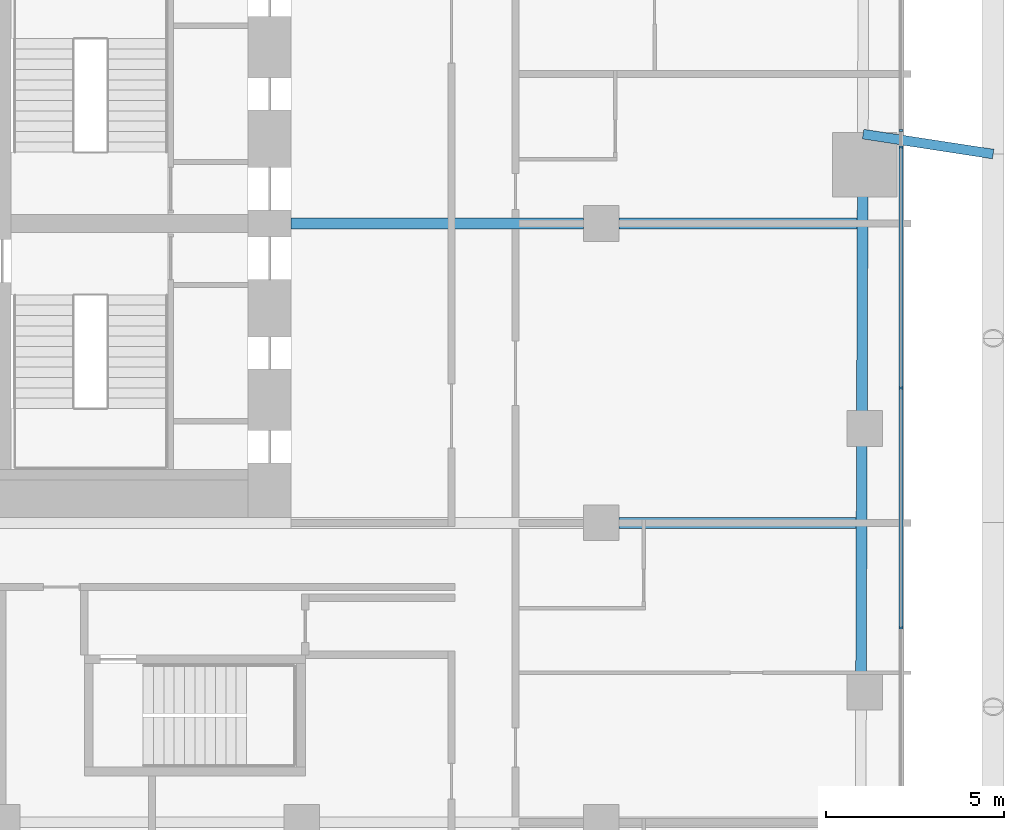
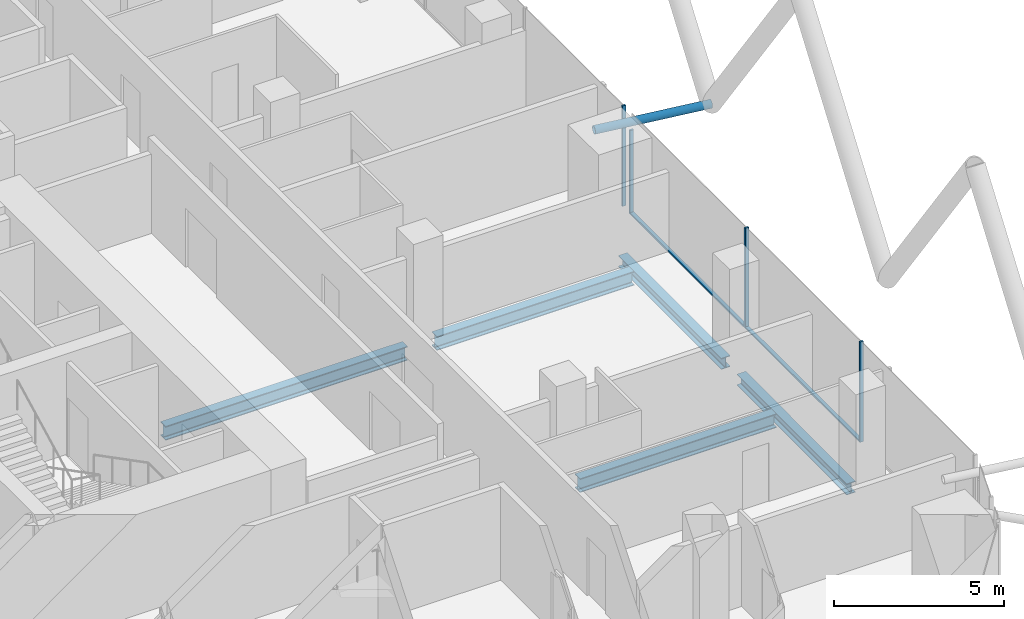
# One storey, part 8 of 38: 7 members, 5 beams, 3 elements without a shape of their own.
"""IFC4 building model written with IfcOpenShell, lengths in metres."""

from ifc_helpers import new_model, si_unit, direction, frame, origin, origin_2d, place, context, subcontext, project, spatial, rectangle, hollow_circle, i_section, extrude, material, layer, layer_set, material_profile, profile_set, type_object, element, aggregate, save


model = new_model("IFC4")

# Units and contexts
model_context = context("Model", 3, precision=1e-05, world=origin(), true_north=direction((0.0, 1.0)))
body_context = subcontext(model_context, "Body", "Model", "MODEL_VIEW")
ifc_project = project(units=[si_unit("LENGTHUNIT", "METRE"), si_unit("AREAUNIT", "SQUARE_METRE"), si_unit("VOLUMEUNIT", "CUBIC_METRE"), si_unit("PLANEANGLEUNIT", "RADIAN"), si_unit("MASSUNIT", "GRAM", prefix="KILO")], contexts=[model_context])

# Site, building, storey
site_placement = place(None, origin())
site = spatial("IfcSite", under=ifc_project, at=site_placement, CompositionType="ELEMENT")
building_placement = place(site_placement, origin())
building = spatial("IfcBuilding", under=site, at=building_placement, Name="Marenta Gate Hotel Tower", CompositionType="ELEMENT")
storey_placement = place(building_placement, frame((0.0, 0.0, 40.10009765625)))
storey = spatial("IfcBuildingStorey", under=building, at=storey_placement, Name="L07", CompositionType="ELEMENT", Elevation=40.10009765625)

# Beams
ifc_material_1 = material(Name="Steel S355", Category="steel")
ifc_material_profile_1 = material_profile(ifc_material_1, i_section(OverallWidth=0.300048828125, OverallDepth=0.39990234375, WebThickness=0.013427734375, FlangeThickness=0.02392578125, FilletRadius=0.027099609375, at=origin_2d()), Name="HEB 400")
ifc_profile_set_1 = profile_set([ifc_material_profile_1], Name="Steel S355")
beam_type_1 = type_object("IfcBeamType", Name="Edge beam HEB 400", PredefinedType="SPANDREL", material=ifc_profile_set_1)
beam_1_placement = place(storey_placement, frame((28.3388671875, 9.18994140625, -0.460205078125), z_axis=(-0.003332378012, -0.999994447613, 0.0), x_axis=(0.999994447613, -0.003332378012, 0.0)))
element("IfcBeam", 1, at=beam_1_placement, inside=storey, type_object=beam_type_1, Name="L07-EB-25", PredefinedType="SPANDREL", context=body_context, shape_type="SweptSolid", body=[
    extrude(i_section(OverallWidth=0.300048828125, OverallDepth=0.39990234375, WebThickness=0.013427734375, FlangeThickness=0.02392578125, FilletRadius=0.027099609375, at=origin_2d()), origin(), (0.0, 0.0, 1.0), 6.080810546875),
])
beam_2_placement = place(storey_placement, frame((28.315673828125, 2.189208984375, -0.460205078125), z_axis=(-0.003352525703, -0.99999438027, 0.0), x_axis=(0.99999438027, -0.003352525703, 0.0)))
element("IfcBeam", 2, at=beam_2_placement, inside=storey, type_object=beam_type_1, Name="L07-EB-26", PredefinedType="SPANDREL", context=body_context, shape_type="SweptSolid", body=[
    extrude(i_section(OverallWidth=0.300048828125, OverallDepth=0.39990234375, WebThickness=0.013427734375, FlangeThickness=0.02392578125, FilletRadius=0.027099609375, at=origin_2d()), origin(), (0.0, 0.0, 1.0), 6.481201171875),
])

# Member
ifc_material_2 = material(Name="Steel S355J2W", Category="steel")
ifc_material_profile_2 = material_profile(ifc_material_2, hollow_circle(Radius=0.136474609375, WallThickness=0.012451171875, at=origin_2d()), Name="CHS 273x12.5")
ifc_profile_set_2 = profile_set([ifc_material_profile_2], Name="Steel S355J2W")
member_type_1 = type_object("IfcMemberType", Name="Floor tie CHS 273x12.5", PredefinedType="STRUT", material=ifc_profile_set_2)
member_1_placement = place(storey_placement, frame((32.0, 10.349853515625, 3.139892578125), z_axis=(-0.988463272711, 0.151460749047, 0.0), x_axis=(-0.151460749047, -0.988463272711, 0.0)))
element("IfcMember", 3, at=member_1_placement, inside=storey, type_object=member_type_1, Name="L07-DR-9", PredefinedType="STRUT", context=body_context, shape_type="SweptSolid", body=[
    extrude(hollow_circle(Radius=0.136474609375, WallThickness=0.012451171875, at=origin_2d()), origin(), (0.0, 0.0, 1.0), 3.691162109375),
])

# Beams
ifc_material_3 = material(Name="Steel S355", Category="steel")
ifc_material_profile_3 = material_profile(ifc_material_3, i_section(OverallWidth=0.300048828125, OverallDepth=0.5, WebThickness=0.014404296875, FlangeThickness=0.028076171875, FilletRadius=0.027099609375, at=origin_2d()), Name="HEB 500")
ifc_profile_set_3 = profile_set([ifc_material_profile_3], Name="Steel S355")
beam_type_2 = type_object("IfcBeamType", Name="Girder HEB 500", PredefinedType="BEAM", material=ifc_profile_set_3)
beam_3_placement = place(storey_placement, frame((21.5, 0.0, -0.510009765625), z_axis=(1.0, 0.0, 0.0), x_axis=(0.0, 1.0, 0.0)))
element("IfcBeam", 4, at=beam_3_placement, inside=storey, type_object=beam_type_2, Name="L07-GD-12", PredefinedType="BEAM", context=body_context, shape_type="SweptSolid", body=[
    extrude(i_section(OverallWidth=0.300048828125, OverallDepth=0.5, WebThickness=0.014404296875, FlangeThickness=0.028076171875, FilletRadius=0.027099609375, at=origin_2d()), origin(), (0.0, 0.0, 1.0), 6.658203125),
])
beam_4_placement = place(storey_placement, frame((12.300048828125, 8.39990234375, -0.510009765625), z_axis=(1.0, 0.0, 0.0), x_axis=(0.0, 1.0, 0.0)))
element("IfcBeam", 5, at=beam_4_placement, inside=storey, type_object=beam_type_2, Name="L07-GD-15", PredefinedType="BEAM", context=body_context, shape_type="SweptSolid", body=[
    extrude(i_section(OverallWidth=0.300048828125, OverallDepth=0.5, WebThickness=0.014404296875, FlangeThickness=0.028076171875, FilletRadius=0.027099609375, at=origin_2d()), origin(), (0.0, 0.0, 1.0), 8.199951171875),
])
beam_5_placement = place(storey_placement, frame((21.5, 8.39990234375, -0.510009765625), z_axis=(1.0, 0.0, 0.0), x_axis=(0.0, 1.0, 0.0)))
element("IfcBeam", 6, at=beam_5_placement, inside=storey, type_object=beam_type_2, Name="L07-GD-16", PredefinedType="BEAM", context=body_context, shape_type="SweptSolid", body=[
    extrude(i_section(OverallWidth=0.300048828125, OverallDepth=0.5, WebThickness=0.014404296875, FlangeThickness=0.028076171875, FilletRadius=0.027099609375, at=origin_2d()), origin(), (0.0, 0.0, 1.0), 6.686279296875),
])

# Curtain wall, members
ifc_material_4 = material(Name="Tinted insulated glass in bronze anodised frame", Category="glass")
ifc_layer = layer(ifc_material_4, 0.1201171875)
ifc_layer_set = layer_set([ifc_layer], Name="Tinted insulated glass in bronze anodised frame")
curtain_wall_type = type_object("IfcCurtainWallType", Name="Tower unitised curtain wall CW1", PredefinedType="NOTDEFINED", material=ifc_layer_set)
curtain_wall_1_placement = place(storey_placement, origin())
curtain_wall_1 = element("IfcCurtainWall", 7, at=curtain_wall_1_placement, inside=storey, type_object=curtain_wall_type, Name="CW1 run G32", PredefinedType="NOTDEFINED")
ifc_material_5 = material(Name="Bronze anodised aluminium", Category="aluminium")
ifc_material_profile_4 = material_profile(ifc_material_5, rectangle(XDim=0.1201171875, YDim=0.06005859375, at=origin_2d()), Name="Mullion CW1 60x120 bronze anodised aluminium")
ifc_profile_set_4 = profile_set([ifc_material_profile_4], Name="Bronze anodised aluminium")
member_type_2 = type_object("IfcMemberType", Name="Mullion CW1 60x120 bronze anodised aluminium", PredefinedType="MULLION", material=ifc_profile_set_4)
member_2_placement = place(storey_placement, frame((29.4140625, -2.9443359375, 0.0), z_axis=(0.0, 0.0, 1.0), x_axis=(-1.0, 0.0, 0.0)))
member_2 = element("IfcMember", 8, at=member_2_placement, type_object=member_type_2, Name="CW1 mullion 2", PredefinedType="MULLION", context=body_context, shape_type="SweptSolid", body=[
    extrude(rectangle(XDim=0.1201171875, YDim=0.06005859375, at=origin_2d()), origin(), (0.0, 0.0, 1.0), 3.599853515625),
])
member_3_placement = place(storey_placement, frame((29.4140625, 3.786376953125, 0.0), z_axis=(0.0, 0.0, 1.0), x_axis=(-1.0, 0.0, 0.0)))
member_3 = element("IfcMember", 9, at=member_3_placement, type_object=member_type_2, Name="CW1 mullion 3", PredefinedType="MULLION", context=body_context, shape_type="SweptSolid", body=[
    extrude(rectangle(XDim=0.1201171875, YDim=0.06005859375, at=origin_2d()), origin(), (0.0, 0.0, 1.0), 3.599853515625),
])

# Curtain wall, member
curtain_wall_2_placement = place(storey_placement, origin())
curtain_wall_2 = element("IfcCurtainWall", 10, at=curtain_wall_2_placement, inside=storey, type_object=curtain_wall_type, Name="CW1 run G33", PredefinedType="NOTDEFINED")
member_4_placement = place(storey_placement, frame((29.4140625, 10.547119140625, 0.0), z_axis=(0.0, 0.0, 1.0), x_axis=(-1.0, 0.0, 0.0)))
member_4 = element("IfcMember", 11, at=member_4_placement, type_object=member_type_2, Name="CW1 mullion 1", PredefinedType="MULLION", context=body_context, shape_type="SweptSolid", body=[
    extrude(rectangle(XDim=0.1201171875, YDim=0.06005859375, at=origin_2d()), origin(), (0.0, 0.0, 1.0), 3.00048828125),
])
aggregate(curtain_wall_2, [member_4])

curtain_wall_3_placement = place(storey_placement, origin())
curtain_wall_3 = element("IfcCurtainWall", 12, at=curtain_wall_3_placement, inside=storey, type_object=curtain_wall_type, Name="CW1 run G34", PredefinedType="NOTDEFINED")
member_5_placement = place(storey_placement, frame((29.4140625, 11.00537109375, 0.0), z_axis=(0.0, 0.0, 1.0), x_axis=(-1.0, 0.0, 0.0)))
member_5 = element("IfcMember", 13, at=member_5_placement, type_object=member_type_2, Name="CW1 mullion 1", PredefinedType="MULLION", context=body_context, shape_type="SweptSolid", body=[
    extrude(rectangle(XDim=0.1201171875, YDim=0.06005859375, at=origin_2d()), origin(), (0.0, 0.0, 1.0), 3.599853515625),
])
aggregate(curtain_wall_3, [member_5])

# Member
ifc_material_6 = material(Name="Bronze anodised aluminium", Category="aluminium")
ifc_material_profile_5 = material_profile(ifc_material_6, rectangle(XDim=0.1201171875, YDim=0.06005859375, at=origin_2d()), Name="Transom CW1 60x120 bronze anodised aluminium")
ifc_profile_set_5 = profile_set([ifc_material_profile_5], Name="Bronze anodised aluminium")
member_type_3 = type_object("IfcMemberType", Name="Transom CW1 60x120 bronze anodised aluminium", PredefinedType="USERDEFINED", material=ifc_profile_set_5)
member_6_placement = place(storey_placement, frame((29.4140625, -2.914306640625, 0.02978515625), z_axis=(0.0, 1.0, 0.0), x_axis=(-1.0, 0.0, 0.0)))
member_6 = element("IfcMember", 14, at=member_6_placement, type_object=member_type_3, Name="CW1 transom 2.1", ObjectType="TRANSOM", PredefinedType="USERDEFINED", context=body_context, shape_type="SweptSolid", body=[
    extrude(rectangle(XDim=0.1201171875, YDim=0.06005859375, at=origin_2d()), origin(), (0.0, 0.0, 1.0), 6.670654296875),
])

member_7_placement = place(storey_placement, frame((29.4140625, 3.81640625, 0.02978515625), z_axis=(0.0, 1.0, 0.0), x_axis=(-1.0, 0.0, 0.0)))
member_7 = element("IfcMember", 15, at=member_7_placement, type_object=member_type_3, Name="CW1 transom 3.1", ObjectType="TRANSOM", PredefinedType="USERDEFINED", context=body_context, shape_type="SweptSolid", body=[
    extrude(rectangle(XDim=0.1201171875, YDim=0.06005859375, at=origin_2d()), origin(), (0.0, 0.0, 1.0), 6.70068359375),
])

aggregate(curtain_wall_1, [member_2, member_3, member_6, member_7])

save(model, "model.ifc")
